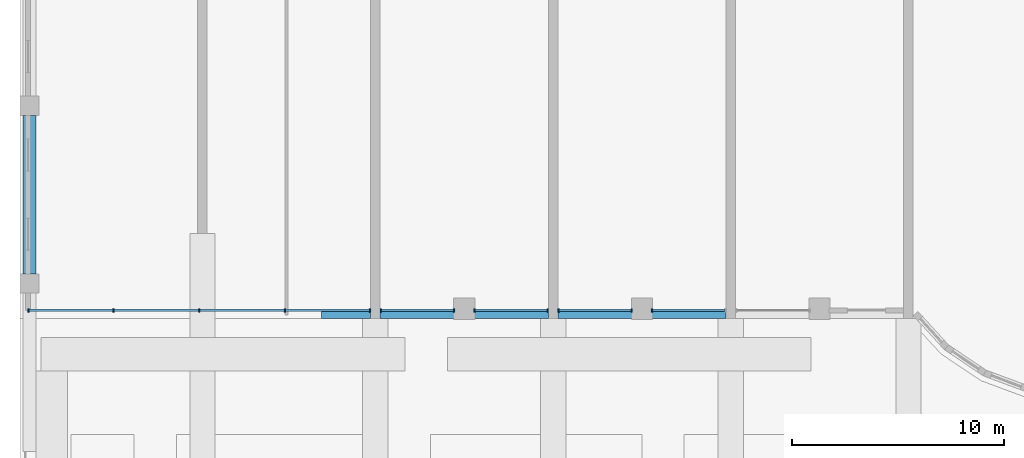
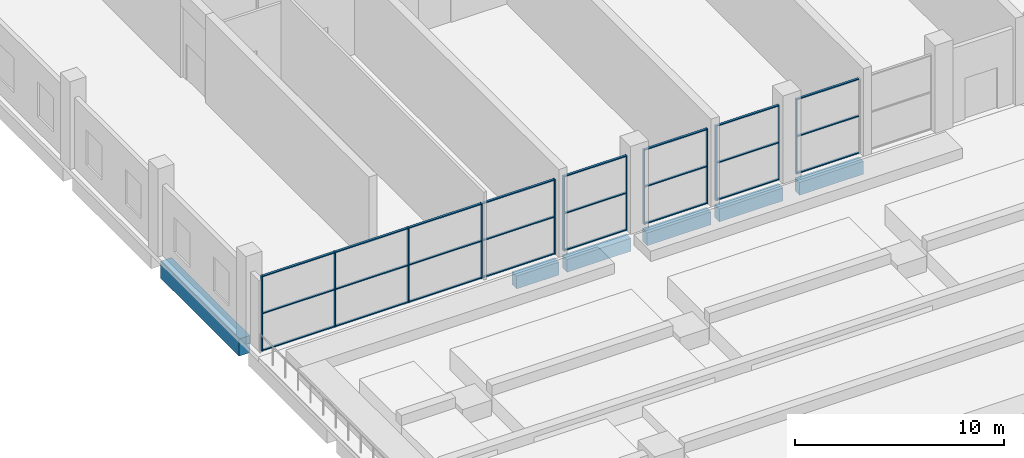
# One storey, part 2 of 20: 36 members, 6 beams, 5 elements without a shape of their own.
"""IFC4 building model written with IfcOpenShell, lengths in metres."""

from ifc_helpers import new_model, si_unit, direction, frame, origin, origin_2d, place, context, subcontext, project, spatial, rectangle, extrude, source, transform, mapped, material, layer, layer_set, material_profile, profile_set, type_object, element, aggregate, save


model = new_model("IFC4")

# Units and contexts
model_context = context("Model", 3, precision=1e-05, world=origin(), true_north=direction((0.0, 1.0)))
body_context = subcontext(model_context, "Body", "Model", "MODEL_VIEW")
ifc_project = project(units=[si_unit("LENGTHUNIT", "METRE"), si_unit("AREAUNIT", "SQUARE_METRE"), si_unit("VOLUMEUNIT", "CUBIC_METRE"), si_unit("PLANEANGLEUNIT", "RADIAN"), si_unit("MASSUNIT", "GRAM", prefix="KILO")], contexts=[model_context])

# Site, building, storey
site_placement = place(None, origin())
site = spatial("IfcSite", under=ifc_project, at=site_placement, CompositionType="ELEMENT")
building_placement = place(site_placement, origin())
building = spatial("IfcBuilding", under=site, at=building_placement, Name="Vanashikhar Sky Hotel", CompositionType="ELEMENT")
storey_placement = place(building_placement, frame((0.0, 0.0, 6.0)))
storey = spatial("IfcBuildingStorey", under=building, at=storey_placement, Name="L01", CompositionType="ELEMENT", Elevation=6.0)

# Beams
ifc_material_1 = material(Name="Concrete M50", Category="concrete")
ifc_material_profile_1 = material_profile(ifc_material_1, rectangle(XDim=0.449951171875, YDim=0.75, at=origin_2d()))
ifc_profile_set_1 = profile_set([ifc_material_profile_1], Name="RC 450x750 beam Concrete M50")
beam_type_1 = type_object("IfcBeamType", Name="RC 450x750 beam Concrete M50", PredefinedType="SPANDREL", material=ifc_profile_set_1)
shared_shape_1 = source(origin(), body_context, "Body", "SweptSolid", [
    extrude(rectangle(XDim=0.449951171875, YDim=0.75, at=origin_2d()), origin(), (0.0, 0.0, 1.0), 3.52490234375),
])
for number, where, z_axis, x_axis, name in (
    (1, (8.625, 0.22509765625, -0.655029296875), (1.0, 0.0, 0.0), (0.0, 1.0, 0.0), "EB-L01-F01"),
    (2, (13.050048828125, 0.22509765625, -0.655029296875), (1.0, 0.0, 0.0), (0.0, 1.0, 0.0), "EB-L01-F02"),
):
    element("IfcBeam", number, at=place(storey_placement, frame(where, z_axis=z_axis, x_axis=x_axis)), inside=storey, type_object=beam_type_1, Name=name, PredefinedType="SPANDREL", context=body_context, shape_type="MappedRepresentation", body=[
        mapped(shared_shape_1, transform((0.0, 0.0, 0.0), scale=1.0)),
    ])
shared_shape_2 = source(origin(), body_context, "Body", "SweptSolid", [
    extrude(rectangle(XDim=0.449951171875, YDim=0.75, at=origin_2d()), origin(), (0.0, 0.0, 1.0), 3.525146484375),
])
for number, where, z_axis, x_axis, name in (
    (3, (17.02490234375, 0.22509765625, -0.655029296875), (1.0, 0.0, 0.0), (0.0, 1.0, 0.0), "EB-L01-F03"),
    (4, (21.449951171875, 0.22509765625, -0.655029296875), (1.0, 0.0, 0.0), (0.0, 1.0, 0.0), "EB-L01-F04"),
):
    element("IfcBeam", number, at=place(storey_placement, frame(where, z_axis=z_axis, x_axis=x_axis)), inside=storey, type_object=beam_type_1, Name=name, PredefinedType="SPANDREL", context=body_context, shape_type="MappedRepresentation", body=[
        mapped(shared_shape_2, transform((0.0, 0.0, 0.0), scale=1.0)),
    ])
ifc_material_profile_2 = material_profile(ifc_material_1, rectangle(XDim=0.449951171875, YDim=0.75, at=origin_2d()))
ifc_profile_set_2 = profile_set([ifc_material_profile_2], Name="RC 450x750 cantilever beam Concrete M50")
beam_type_2 = type_object("IfcBeamType", Name="RC 450x750 cantilever beam Concrete M50", PredefinedType="SPANDREL", material=ifc_profile_set_2)
shared_shape_3 = source(origin(), body_context, "Body", "SweptSolid", [
    extrude(rectangle(XDim=0.449951171875, YDim=0.75, at=origin_2d()), origin(), (0.0, 0.0, 1.0), 2.330078125),
])
beam_1_placement = place(storey_placement, frame((5.844970703125, 0.22509765625, -0.655029296875), z_axis=(1.0, 0.0, 0.0), x_axis=(0.0, 1.0, 0.0)))
element("IfcBeam", 5, at=beam_1_placement, inside=storey, type_object=beam_type_2, Name="EB-L01-F07", PredefinedType="SPANDREL", context=body_context, shape_type="MappedRepresentation", body=[
    mapped(shared_shape_3, transform((0.0, 0.0, 0.0), scale=1.0)),
])
ifc_material_profile_3 = material_profile(ifc_material_1, rectangle(XDim=0.60009765625, YDim=1.0, at=origin_2d()))
ifc_profile_set_3 = profile_set([ifc_material_profile_3], Name="RC 600x1000 beam Concrete M50")
beam_type_3 = type_object("IfcBeamType", Name="RC 600x1000 beam Concrete M50", PredefinedType="SPANDREL", material=ifc_profile_set_3)
shared_shape_4 = source(origin(), body_context, "Body", "SweptSolid", [
    extrude(rectangle(XDim=0.60009765625, YDim=1.0, at=origin_2d()), origin(), (0.0, 0.0, 1.0), 7.5),
])
beam_2_placement = place(storey_placement, frame((-7.949951171875, 2.10009765625, -0.780029296875), z_axis=(0.0, 1.0, 0.0), x_axis=(-1.0, 0.0, 0.0)))
element("IfcBeam", 6, at=beam_2_placement, inside=storey, type_object=beam_type_3, Name="EB-L01-A104", PredefinedType="SPANDREL", context=body_context, shape_type="MappedRepresentation", body=[
    mapped(shared_shape_4, transform((0.0, 0.0, 0.0), scale=1.0)),
])

# Curtain wall, members
ifc_material_2 = material(Name="Glass", Category="glass")
ifc_layer = layer(ifc_material_2, 0.159912109375)
ifc_layer_set = layer_set([ifc_layer], Name="Garden lounge curtain wall")
curtain_wall_type = type_object("IfcCurtainWallType", Name="Garden lounge curtain wall", PredefinedType="NOTDEFINED", material=ifc_layer_set)
curtain_wall_1_placement = place(storey_placement, origin())
curtain_wall_1 = element("IfcCurtainWall", 7, at=curtain_wall_1_placement, inside=storey, type_object=curtain_wall_type, Name="Garden lounge curtain wall", PredefinedType="NOTDEFINED")
ifc_material_3 = material(Name="Aluminium 6063-T6", Category="aluminium")
ifc_material_profile_4 = material_profile(ifc_material_3, rectangle(XDim=0.159912109375, YDim=0.06005859375, at=origin_2d()))
ifc_profile_set_4 = profile_set([ifc_material_profile_4], Name="Aluminium 6063-T6")
member_type_1 = type_object("IfcMemberType", Name="Podium curtain wall mullion 60 x 160", PredefinedType="MULLION", material=ifc_profile_set_4)
shared_shape_5 = source(origin(), body_context, "Body", "SweptSolid", [
    extrude(rectangle(XDim=0.159912109375, YDim=0.06005859375, at=origin_2d()), origin(), (0.0, 0.0, 1.0), 4.3701171875),
])
member_1_placement = place(storey_placement, frame((-7.9951171875, 0.375, 0.0), z_axis=(0.0, 0.0, 1.0), x_axis=(0.0, 1.0, 0.0)))
member_1 = element("IfcMember", 8, at=member_1_placement, type_object=member_type_1, Name="CW-2.103 mullion 1", PredefinedType="MULLION", context=body_context, shape_type="MappedRepresentation", body=[
    mapped(shared_shape_5, transform((0.0, 0.0, 0.0), scale=1.0)),
])
member_2_placement = place(storey_placement, frame((-3.97509765625, 0.375, 0.0), z_axis=(0.0, 0.0, 1.0), x_axis=(0.0, 1.0, 0.0)))
member_2 = element("IfcMember", 9, at=member_2_placement, type_object=member_type_1, Name="CW-2.103 mullion 2", PredefinedType="MULLION", context=body_context, shape_type="MappedRepresentation", body=[
    mapped(shared_shape_5, transform((0.0, 0.0, 0.0), scale=1.0)),
])
member_3_placement = place(storey_placement, frame((0.074951171875, 0.375, 0.0), z_axis=(0.0, 0.0, 1.0), x_axis=(0.0, 1.0, 0.0)))
member_3 = element("IfcMember", 10, at=member_3_placement, type_object=member_type_1, Name="CW-2.103 mullion 3", PredefinedType="MULLION", context=body_context, shape_type="MappedRepresentation", body=[
    mapped(shared_shape_5, transform((0.0, 0.0, 0.0), scale=1.0)),
])
member_4_placement = place(storey_placement, frame((4.125, 0.375, 0.0), z_axis=(0.0, 0.0, 1.0), x_axis=(0.0, 1.0, 0.0)))
member_4 = element("IfcMember", 11, at=member_4_placement, type_object=member_type_1, Name="CW-2.103 mullion 4", PredefinedType="MULLION", context=body_context, shape_type="MappedRepresentation", body=[
    mapped(shared_shape_5, transform((0.0, 0.0, 0.0), scale=1.0)),
])
member_5_placement = place(storey_placement, frame((8.14501953125, 0.375, 0.0), z_axis=(0.0, 0.0, 1.0), x_axis=(0.0, 1.0, 0.0)))
member_5 = element("IfcMember", 12, at=member_5_placement, type_object=member_type_1, Name="CW-2.103 mullion 5", PredefinedType="MULLION", context=body_context, shape_type="MappedRepresentation", body=[
    mapped(shared_shape_5, transform((0.0, 0.0, 0.0), scale=1.0)),
])

curtain_wall_2_placement = place(storey_placement, origin())
curtain_wall_2 = element("IfcCurtainWall", 13, at=curtain_wall_2_placement, inside=storey, type_object=curtain_wall_type, Name="Garden lounge curtain wall", PredefinedType="NOTDEFINED")
member_6_placement = place(storey_placement, frame((8.655029296875, 0.375, 0.0), z_axis=(0.0, 0.0, 1.0), x_axis=(0.0, 1.0, 0.0)))
member_6 = element("IfcMember", 14, at=member_6_placement, type_object=member_type_1, Name="CW-2.104 mullion 1", PredefinedType="MULLION", context=body_context, shape_type="MappedRepresentation", body=[
    mapped(shared_shape_5, transform((0.0, 0.0, 0.0), scale=1.0)),
])
member_7_placement = place(storey_placement, frame((12.1201171875, 0.375, 0.0), z_axis=(0.0, 0.0, 1.0), x_axis=(0.0, 1.0, 0.0)))
member_7 = element("IfcMember", 15, at=member_7_placement, type_object=member_type_1, Name="CW-2.104 mullion 2", PredefinedType="MULLION", context=body_context, shape_type="MappedRepresentation", body=[
    mapped(shared_shape_5, transform((0.0, 0.0, 0.0), scale=1.0)),
])

curtain_wall_3_placement = place(storey_placement, origin())
curtain_wall_3 = element("IfcCurtainWall", 16, at=curtain_wall_3_placement, inside=storey, type_object=curtain_wall_type, Name="Garden lounge curtain wall", PredefinedType="NOTDEFINED")
member_8_placement = place(storey_placement, frame((13.080078125, 0.375, 0.0), z_axis=(0.0, 0.0, 1.0), x_axis=(0.0, 1.0, 0.0)))
member_8 = element("IfcMember", 17, at=member_8_placement, type_object=member_type_1, Name="CW-2.105 mullion 1", PredefinedType="MULLION", context=body_context, shape_type="MappedRepresentation", body=[
    mapped(shared_shape_5, transform((0.0, 0.0, 0.0), scale=1.0)),
])
member_9_placement = place(storey_placement, frame((16.544921875, 0.375, 0.0), z_axis=(0.0, 0.0, 1.0), x_axis=(0.0, 1.0, 0.0)))
member_9 = element("IfcMember", 18, at=member_9_placement, type_object=member_type_1, Name="CW-2.105 mullion 2", PredefinedType="MULLION", context=body_context, shape_type="MappedRepresentation", body=[
    mapped(shared_shape_5, transform((0.0, 0.0, 0.0), scale=1.0)),
])

curtain_wall_4_placement = place(storey_placement, origin())
curtain_wall_4 = element("IfcCurtainWall", 19, at=curtain_wall_4_placement, inside=storey, type_object=curtain_wall_type, Name="Garden lounge curtain wall", PredefinedType="NOTDEFINED")
member_10_placement = place(storey_placement, frame((17.054931640625, 0.375, 0.0), z_axis=(0.0, 0.0, 1.0), x_axis=(0.0, 1.0, 0.0)))
member_10 = element("IfcMember", 20, at=member_10_placement, type_object=member_type_1, Name="CW-2.106 mullion 1", PredefinedType="MULLION", context=body_context, shape_type="MappedRepresentation", body=[
    mapped(shared_shape_5, transform((0.0, 0.0, 0.0), scale=1.0)),
])
member_11_placement = place(storey_placement, frame((20.52001953125, 0.375, 0.0), z_axis=(0.0, 0.0, 1.0), x_axis=(0.0, 1.0, 0.0)))
member_11 = element("IfcMember", 21, at=member_11_placement, type_object=member_type_1, Name="CW-2.106 mullion 2", PredefinedType="MULLION", context=body_context, shape_type="MappedRepresentation", body=[
    mapped(shared_shape_5, transform((0.0, 0.0, 0.0), scale=1.0)),
])

# Curtain wall, member
curtain_wall_5_placement = place(storey_placement, origin())
curtain_wall_5 = element("IfcCurtainWall", 22, at=curtain_wall_5_placement, inside=storey, type_object=curtain_wall_type, Name="Garden lounge curtain wall", PredefinedType="NOTDEFINED")
member_12_placement = place(storey_placement, frame((21.47998046875, 0.375, 0.0), z_axis=(0.0, 0.0, 1.0), x_axis=(0.0, 1.0, 0.0)))
member_12 = element("IfcMember", 23, at=member_12_placement, type_object=member_type_1, Name="CW-2.107 mullion 1", PredefinedType="MULLION", context=body_context, shape_type="MappedRepresentation", body=[
    mapped(shared_shape_5, transform((0.0, 0.0, 0.0), scale=1.0)),
])

# Member
ifc_material_profile_5 = material_profile(ifc_material_3, rectangle(XDim=0.1201171875, YDim=0.06005859375, at=origin_2d()))
ifc_profile_set_5 = profile_set([ifc_material_profile_5], Name="Aluminium 6063-T6")
member_type_2 = type_object("IfcMemberType", Name="Podium curtain wall transom 60 x 120", PredefinedType="USERDEFINED", material=ifc_profile_set_5)
shared_shape_6 = source(origin(), body_context, "Body", "SweptSolid", [
    extrude(rectangle(XDim=0.1201171875, YDim=0.06005859375, at=origin_2d()), origin(), (0.0, 0.0, 1.0), 3.405029296875),
])
member_13_placement = place(storey_placement, frame((8.68505859375, 0.375, 0.030029296875), z_axis=(1.0, 0.0, 0.0), x_axis=(0.0, 1.0, 0.0)))
member_13 = element("IfcMember", 24, at=member_13_placement, type_object=member_type_2, Name="CW-2.104 transom 1.1", ObjectType="TRANSOM", PredefinedType="USERDEFINED", context=body_context, shape_type="MappedRepresentation", body=[
    mapped(shared_shape_6, transform((0.0, 0.0, 0.0), scale=1.0)),
])

member_14_placement = place(storey_placement, frame((8.68505859375, 0.375, 2.18505859375), z_axis=(1.0, 0.0, 0.0), x_axis=(0.0, 1.0, 0.0)))
member_14 = element("IfcMember", 25, at=member_14_placement, type_object=member_type_2, Name="CW-2.104 transom 1.2", ObjectType="TRANSOM", PredefinedType="USERDEFINED", context=body_context, shape_type="MappedRepresentation", body=[
    mapped(shared_shape_6, transform((0.0, 0.0, 0.0), scale=1.0)),
])

member_15_placement = place(storey_placement, frame((8.68505859375, 0.375, 4.340087890625), z_axis=(1.0, 0.0, 0.0), x_axis=(0.0, 1.0, 0.0)))
member_15 = element("IfcMember", 26, at=member_15_placement, type_object=member_type_2, Name="CW-2.104 transom 1.3", ObjectType="TRANSOM", PredefinedType="USERDEFINED", context=body_context, shape_type="MappedRepresentation", body=[
    mapped(shared_shape_6, transform((0.0, 0.0, 0.0), scale=1.0)),
])

aggregate(curtain_wall_2, [member_6, member_7, member_13, member_14, member_15])

member_16_placement = place(storey_placement, frame((17.0849609375, 0.375, 0.030029296875), z_axis=(1.0, 0.0, 0.0), x_axis=(0.0, 1.0, 0.0)))
member_16 = element("IfcMember", 27, at=member_16_placement, type_object=member_type_2, Name="CW-2.106 transom 1.1", ObjectType="TRANSOM", PredefinedType="USERDEFINED", context=body_context, shape_type="MappedRepresentation", body=[
    mapped(shared_shape_6, transform((0.0, 0.0, 0.0), scale=1.0)),
])

member_17_placement = place(storey_placement, frame((17.0849609375, 0.375, 2.18505859375), z_axis=(1.0, 0.0, 0.0), x_axis=(0.0, 1.0, 0.0)))
member_17 = element("IfcMember", 28, at=member_17_placement, type_object=member_type_2, Name="CW-2.106 transom 1.2", ObjectType="TRANSOM", PredefinedType="USERDEFINED", context=body_context, shape_type="MappedRepresentation", body=[
    mapped(shared_shape_6, transform((0.0, 0.0, 0.0), scale=1.0)),
])

member_18_placement = place(storey_placement, frame((17.0849609375, 0.375, 4.340087890625), z_axis=(1.0, 0.0, 0.0), x_axis=(0.0, 1.0, 0.0)))
member_18 = element("IfcMember", 29, at=member_18_placement, type_object=member_type_2, Name="CW-2.106 transom 1.3", ObjectType="TRANSOM", PredefinedType="USERDEFINED", context=body_context, shape_type="MappedRepresentation", body=[
    mapped(shared_shape_6, transform((0.0, 0.0, 0.0), scale=1.0)),
])

aggregate(curtain_wall_4, [member_10, member_11, member_16, member_17, member_18])

member_19_placement = place(storey_placement, frame((21.510009765625, 0.375, 0.030029296875), z_axis=(1.0, 0.0, 0.0), x_axis=(0.0, 1.0, 0.0)))
member_19 = element("IfcMember", 30, at=member_19_placement, type_object=member_type_2, Name="CW-2.107 transom 1.1", ObjectType="TRANSOM", PredefinedType="USERDEFINED", context=body_context, shape_type="MappedRepresentation", body=[
    mapped(shared_shape_6, transform((0.0, 0.0, 0.0), scale=1.0)),
])

member_20_placement = place(storey_placement, frame((21.510009765625, 0.375, 2.18505859375), z_axis=(1.0, 0.0, 0.0), x_axis=(0.0, 1.0, 0.0)))
member_20 = element("IfcMember", 31, at=member_20_placement, type_object=member_type_2, Name="CW-2.107 transom 1.2", ObjectType="TRANSOM", PredefinedType="USERDEFINED", context=body_context, shape_type="MappedRepresentation", body=[
    mapped(shared_shape_6, transform((0.0, 0.0, 0.0), scale=1.0)),
])

member_21_placement = place(storey_placement, frame((21.510009765625, 0.375, 4.340087890625), z_axis=(1.0, 0.0, 0.0), x_axis=(0.0, 1.0, 0.0)))
member_21 = element("IfcMember", 32, at=member_21_placement, type_object=member_type_2, Name="CW-2.107 transom 1.3", ObjectType="TRANSOM", PredefinedType="USERDEFINED", context=body_context, shape_type="MappedRepresentation", body=[
    mapped(shared_shape_6, transform((0.0, 0.0, 0.0), scale=1.0)),
])

aggregate(curtain_wall_5, [member_12, member_19, member_20, member_21])

shared_shape_7 = source(origin(), body_context, "Body", "SweptSolid", [
    extrude(rectangle(XDim=0.1201171875, YDim=0.06005859375, at=origin_2d()), origin(), (0.0, 0.0, 1.0), 3.960205078125),
])
member_22_placement = place(storey_placement, frame((-7.965087890625, 0.375, 0.030029296875), z_axis=(1.0, 0.0, 0.0), x_axis=(0.0, 1.0, 0.0)))
member_22 = element("IfcMember", 33, at=member_22_placement, type_object=member_type_2, Name="CW-2.103 transom 1.1", ObjectType="TRANSOM", PredefinedType="USERDEFINED", context=body_context, shape_type="MappedRepresentation", body=[
    mapped(shared_shape_7, transform((0.0, 0.0, 0.0), scale=1.0)),
])

member_23_placement = place(storey_placement, frame((-7.965087890625, 0.375, 2.18505859375), z_axis=(1.0, 0.0, 0.0), x_axis=(0.0, 1.0, 0.0)))
member_23 = element("IfcMember", 34, at=member_23_placement, type_object=member_type_2, Name="CW-2.103 transom 1.2", ObjectType="TRANSOM", PredefinedType="USERDEFINED", context=body_context, shape_type="MappedRepresentation", body=[
    mapped(shared_shape_7, transform((0.0, 0.0, 0.0), scale=1.0)),
])

member_24_placement = place(storey_placement, frame((-7.965087890625, 0.375, 4.340087890625), z_axis=(1.0, 0.0, 0.0), x_axis=(0.0, 1.0, 0.0)))
member_24 = element("IfcMember", 35, at=member_24_placement, type_object=member_type_2, Name="CW-2.103 transom 1.3", ObjectType="TRANSOM", PredefinedType="USERDEFINED", context=body_context, shape_type="MappedRepresentation", body=[
    mapped(shared_shape_7, transform((0.0, 0.0, 0.0), scale=1.0)),
])

shared_shape_8 = source(origin(), body_context, "Body", "SweptSolid", [
    extrude(rectangle(XDim=0.1201171875, YDim=0.06005859375, at=origin_2d()), origin(), (0.0, 0.0, 1.0), 3.989990234375),
])
member_25_placement = place(storey_placement, frame((-3.945068359375, 0.375, 0.030029296875), z_axis=(1.0, 0.0, 0.0), x_axis=(0.0, 1.0, 0.0)))
member_25 = element("IfcMember", 36, at=member_25_placement, type_object=member_type_2, Name="CW-2.103 transom 2.1", ObjectType="TRANSOM", PredefinedType="USERDEFINED", context=body_context, shape_type="MappedRepresentation", body=[
    mapped(shared_shape_8, transform((0.0, 0.0, 0.0), scale=1.0)),
])

member_26_placement = place(storey_placement, frame((-3.945068359375, 0.375, 2.18505859375), z_axis=(1.0, 0.0, 0.0), x_axis=(0.0, 1.0, 0.0)))
member_26 = element("IfcMember", 37, at=member_26_placement, type_object=member_type_2, Name="CW-2.103 transom 2.2", ObjectType="TRANSOM", PredefinedType="USERDEFINED", context=body_context, shape_type="MappedRepresentation", body=[
    mapped(shared_shape_8, transform((0.0, 0.0, 0.0), scale=1.0)),
])

member_27_placement = place(storey_placement, frame((-3.945068359375, 0.375, 4.340087890625), z_axis=(1.0, 0.0, 0.0), x_axis=(0.0, 1.0, 0.0)))
member_27 = element("IfcMember", 38, at=member_27_placement, type_object=member_type_2, Name="CW-2.103 transom 2.3", ObjectType="TRANSOM", PredefinedType="USERDEFINED", context=body_context, shape_type="MappedRepresentation", body=[
    mapped(shared_shape_8, transform((0.0, 0.0, 0.0), scale=1.0)),
])

member_28_placement = place(storey_placement, frame((0.10498046875, 0.375, 0.030029296875), z_axis=(1.0, 0.0, 0.0), x_axis=(0.0, 1.0, 0.0)))
member_28 = element("IfcMember", 39, at=member_28_placement, type_object=member_type_2, Name="CW-2.103 transom 3.1", ObjectType="TRANSOM", PredefinedType="USERDEFINED", context=body_context, shape_type="MappedRepresentation", body=[
    mapped(shared_shape_8, transform((0.0, 0.0, 0.0), scale=1.0)),
])

member_29_placement = place(storey_placement, frame((0.10498046875, 0.375, 2.18505859375), z_axis=(1.0, 0.0, 0.0), x_axis=(0.0, 1.0, 0.0)))
member_29 = element("IfcMember", 40, at=member_29_placement, type_object=member_type_2, Name="CW-2.103 transom 3.2", ObjectType="TRANSOM", PredefinedType="USERDEFINED", context=body_context, shape_type="MappedRepresentation", body=[
    mapped(shared_shape_8, transform((0.0, 0.0, 0.0), scale=1.0)),
])

member_30_placement = place(storey_placement, frame((0.10498046875, 0.375, 4.340087890625), z_axis=(1.0, 0.0, 0.0), x_axis=(0.0, 1.0, 0.0)))
member_30 = element("IfcMember", 41, at=member_30_placement, type_object=member_type_2, Name="CW-2.103 transom 3.3", ObjectType="TRANSOM", PredefinedType="USERDEFINED", context=body_context, shape_type="MappedRepresentation", body=[
    mapped(shared_shape_8, transform((0.0, 0.0, 0.0), scale=1.0)),
])

shared_shape_9 = source(origin(), body_context, "Body", "SweptSolid", [
    extrude(rectangle(XDim=0.1201171875, YDim=0.06005859375, at=origin_2d()), origin(), (0.0, 0.0, 1.0), 3.9599609375),
])
member_31_placement = place(storey_placement, frame((4.155029296875, 0.375, 0.030029296875), z_axis=(1.0, 0.0, 0.0), x_axis=(0.0, 1.0, 0.0)))
member_31 = element("IfcMember", 42, at=member_31_placement, type_object=member_type_2, Name="CW-2.103 transom 4.1", ObjectType="TRANSOM", PredefinedType="USERDEFINED", context=body_context, shape_type="MappedRepresentation", body=[
    mapped(shared_shape_9, transform((0.0, 0.0, 0.0), scale=1.0)),
])

member_32_placement = place(storey_placement, frame((4.155029296875, 0.375, 2.18505859375), z_axis=(1.0, 0.0, 0.0), x_axis=(0.0, 1.0, 0.0)))
member_32 = element("IfcMember", 43, at=member_32_placement, type_object=member_type_2, Name="CW-2.103 transom 4.2", ObjectType="TRANSOM", PredefinedType="USERDEFINED", context=body_context, shape_type="MappedRepresentation", body=[
    mapped(shared_shape_9, transform((0.0, 0.0, 0.0), scale=1.0)),
])

member_33_placement = place(storey_placement, frame((4.155029296875, 0.375, 4.340087890625), z_axis=(1.0, 0.0, 0.0), x_axis=(0.0, 1.0, 0.0)))
member_33 = element("IfcMember", 44, at=member_33_placement, type_object=member_type_2, Name="CW-2.103 transom 4.3", ObjectType="TRANSOM", PredefinedType="USERDEFINED", context=body_context, shape_type="MappedRepresentation", body=[
    mapped(shared_shape_9, transform((0.0, 0.0, 0.0), scale=1.0)),
])

aggregate(curtain_wall_1, [member_1, member_2, member_3, member_4, member_5, member_22, member_23, member_24, member_25, member_26, member_27, member_28, member_29, member_30, member_31, member_32, member_33])

shared_shape_10 = source(origin(), body_context, "Body", "SweptSolid", [
    extrude(rectangle(XDim=0.1201171875, YDim=0.06005859375, at=origin_2d()), origin(), (0.0, 0.0, 1.0), 3.40478515625),
])
member_34_placement = place(storey_placement, frame((13.110107421875, 0.375, 0.030029296875), z_axis=(1.0, 0.0, 0.0), x_axis=(0.0, 1.0, 0.0)))
member_34 = element("IfcMember", 45, at=member_34_placement, type_object=member_type_2, Name="CW-2.105 transom 1.1", ObjectType="TRANSOM", PredefinedType="USERDEFINED", context=body_context, shape_type="MappedRepresentation", body=[
    mapped(shared_shape_10, transform((0.0, 0.0, 0.0), scale=1.0)),
])

member_35_placement = place(storey_placement, frame((13.110107421875, 0.375, 2.18505859375), z_axis=(1.0, 0.0, 0.0), x_axis=(0.0, 1.0, 0.0)))
member_35 = element("IfcMember", 46, at=member_35_placement, type_object=member_type_2, Name="CW-2.105 transom 1.2", ObjectType="TRANSOM", PredefinedType="USERDEFINED", context=body_context, shape_type="MappedRepresentation", body=[
    mapped(shared_shape_10, transform((0.0, 0.0, 0.0), scale=1.0)),
])

member_36_placement = place(storey_placement, frame((13.110107421875, 0.375, 4.340087890625), z_axis=(1.0, 0.0, 0.0), x_axis=(0.0, 1.0, 0.0)))
member_36 = element("IfcMember", 47, at=member_36_placement, type_object=member_type_2, Name="CW-2.105 transom 1.3", ObjectType="TRANSOM", PredefinedType="USERDEFINED", context=body_context, shape_type="MappedRepresentation", body=[
    mapped(shared_shape_10, transform((0.0, 0.0, 0.0), scale=1.0)),
])

aggregate(curtain_wall_3, [member_8, member_9, member_34, member_35, member_36])

save(model, "model.ifc")
